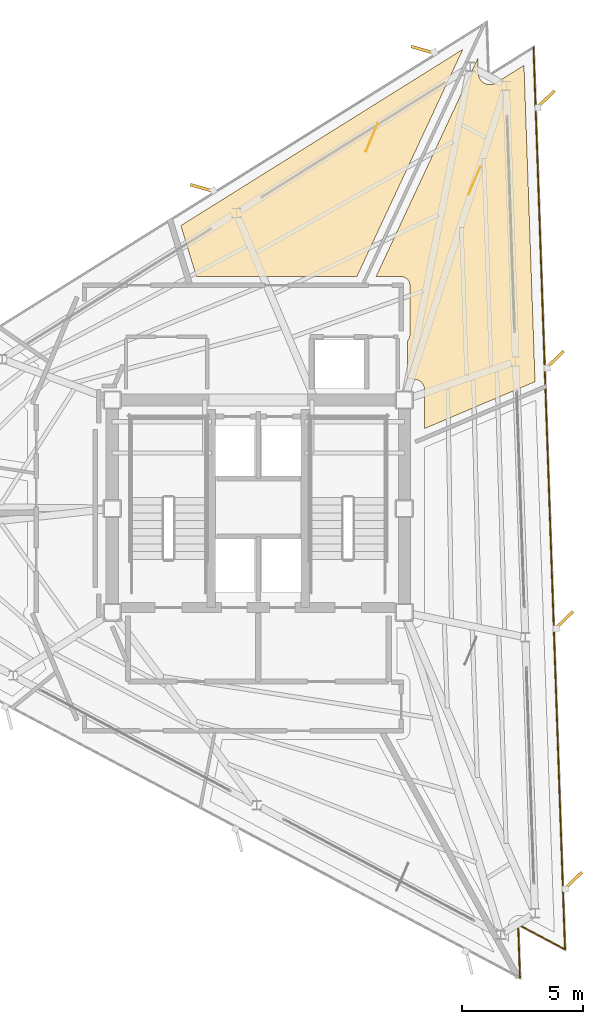
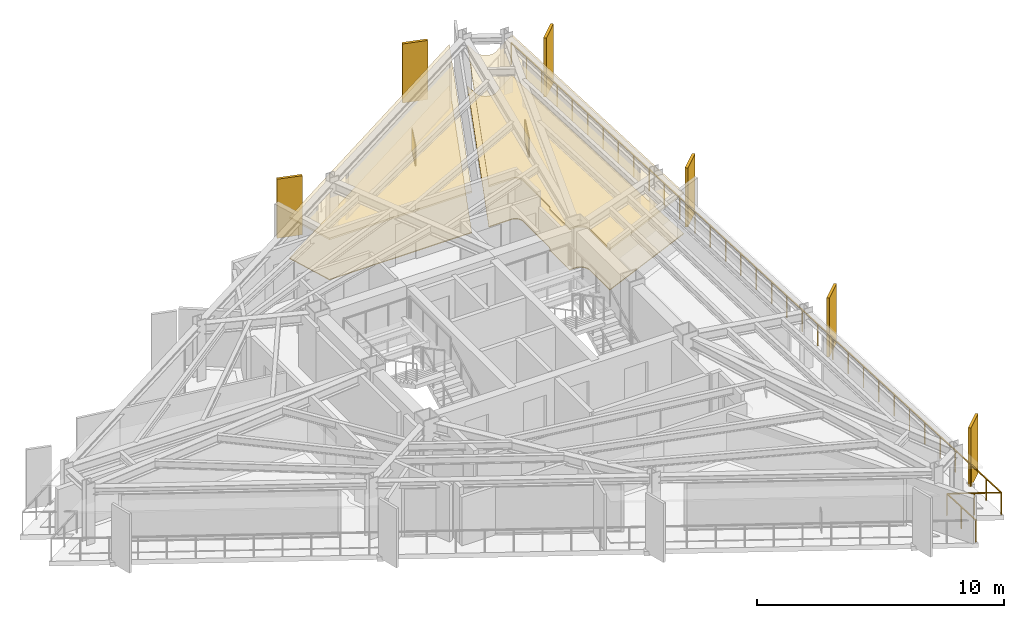
# One storey, part 13 of 13: 6 coverings, 6 shading devices, 1 railing.
"""IFC4 building model written with IfcOpenShell, lengths in metres."""

from ifc_helpers import new_model, si_unit, direction, frame, origin, origin_2d, place, context, subcontext, project, spatial, polyline, rectangle, outline, extrude, material, layer, layer_set, type_object, element, save


model = new_model("IFC4")

# Units and contexts
model_context = context("Model", 3, precision=1e-05, world=origin(), true_north=direction((0.0, 1.0)))
body_context = subcontext(model_context, "Body", "Model", "MODEL_VIEW")
ifc_project = project(units=[si_unit("LENGTHUNIT", "METRE"), si_unit("AREAUNIT", "SQUARE_METRE"), si_unit("VOLUMEUNIT", "CUBIC_METRE"), si_unit("PLANEANGLEUNIT", "RADIAN"), si_unit("MASSUNIT", "GRAM", prefix="KILO")], contexts=[model_context])

# Site, building, storey
site_placement = place(None, origin())
site = spatial("IfcSite", under=ifc_project, at=site_placement, CompositionType="ELEMENT")
building_placement = place(site_placement, origin())
building = spatial("IfcBuilding", under=site, at=building_placement, Name="Rocaltana Carrier Exchange", CompositionType="ELEMENT")
storey_placement = place(building_placement, frame((0.0, 0.0, 196.639892578125)))
storey = spatial("IfcBuildingStorey", under=building, at=storey_placement, Name="L62", CompositionType="ELEMENT", Elevation=196.639892578125)

# Coverings
ifc_material_1 = material(Name="Honed Bogota Sandstone Tile", Category="masonry")
ifc_layer_1 = layer(ifc_material_1, 0.0400390625)
ifc_layer_set_1 = layer_set([ifc_layer_1], Name="Honed Bogota Sandstone Tile")
covering_type_1 = type_object("IfcCoveringType", Name="Honed Stone Lobby Flooring 40", PredefinedType="FLOORING", material=ifc_layer_set_1)
covering_1_placement = place(storey_placement, origin())
element("IfcCovering", 1, at=covering_1_placement, inside=storey, type_object=covering_type_1, Name="L62 Executive Peering Boardroom Finish Floor", PredefinedType="FLOORING", context=body_context, shape_type="SweptSolid", body=[
    extrude(outline(polyline([(6.18994140625, 6.962158203125), (6.206787109375, 6.982421875), (6.21142578125, 6.98876953125), (6.226806640625, 7.01171875), (6.230712890625, 7.018310546875), (6.24365234375, 7.04248046875), (6.2470703125, 7.0498046875), (6.257568359375, 7.0751953125), (6.26025390625, 7.08251953125), (6.268310546875, 7.108642578125), (6.27001953125, 7.116455078125), (6.275390625, 7.143310546875), (6.276611328125, 7.151123046875), (6.279296875, 7.178466796875), (6.27978515625, 7.186279296875), (6.280029296875, 7.199951171875), (6.280029296875, 9.25), (6.27978515625, 9.263671875), (6.279296875, 9.271484375), (6.276611328125, 9.298828125), (6.275390625, 9.306640625), (6.27001953125, 9.33349609375), (6.268310546875, 9.34130859375), (6.26025390625, 9.36767578125), (6.257568359375, 9.375), (6.2470703125, 9.400390625), (6.24365234375, 9.407470703125), (6.230712890625, 9.431640625), (6.226806640625, 9.4384765625), (6.21142578125, 9.461181640625), (6.206787109375, 9.467529296875), (6.189208984375, 9.48876953125), (6.18408203125, 9.49462890625), (6.16455078125, 9.513916015625), (6.15869140625, 9.519287109375), (6.137451171875, 9.53662109375), (6.131103515625, 9.54150390625), (6.1083984375, 9.556640625), (6.101806640625, 9.560791015625), (6.077392578125, 9.57373046875), (6.0703125, 9.576904296875), (6.044921875, 9.58740234375), (6.03759765625, 9.590087890625), (6.01123046875, 9.59814453125), (6.003662109375, 9.60009765625), (5.976806640625, 9.60546875), (5.968994140625, 9.606689453125), (5.941650390625, 9.609375), (5.93359375, 9.609619140625), (5.919921875, 9.610107421875), (4.87841796875, 9.610107421875), (9.09375, 18.64990234375), (9.115478515625, 18.029052734375), (9.1162109375, 18.01513671875), (9.117919921875, 17.995361328125), (9.121826171875, 17.9677734375), (9.12548828125, 17.947998046875), (9.1318359375, 17.9208984375), (9.137451171875, 17.90185546875), (9.146484375, 17.87548828125), (9.154052734375, 17.85693359375), (9.166015625, 17.83154296875), (9.175048828125, 17.81396484375), (9.189208984375, 17.789794921875), (9.2001953125, 17.773193359375), (9.216796875, 17.750732421875), (9.2294921875, 17.7353515625), (9.248046875, 17.714599609375), (9.26220703125, 17.700439453125), (9.28271484375, 17.681640625), (9.298095703125, 17.6689453125), (9.320556640625, 17.65234375), (9.337158203125, 17.641357421875), (9.361083984375, 17.626953125), (9.37890625, 17.61767578125), (9.404052734375, 17.605712890625), (9.422607421875, 17.59814453125), (9.44873046875, 17.5888671875), (9.468017578125, 17.583251953125), (9.4951171875, 17.57666015625), (9.5146484375, 17.572998046875), (9.542236328125, 17.569091796875), (9.56201171875, 17.567138671875), (9.590087890625, 17.566162109375), (9.610107421875, 17.56640625), (9.6376953125, 17.56787109375), (9.65771484375, 17.570068359375), (9.685302734375, 17.57470703125), (9.70458984375, 17.57861328125), (9.731689453125, 17.5859375), (9.750732421875, 17.591796875), (9.77685546875, 17.601806640625), (9.795166015625, 17.609619140625), (9.820068359375, 17.6220703125), (9.83740234375, 17.631591796875), (9.849609375, 17.638916015625), (11.01025390625, 18.364013671875), (11.4677734375, 5.2587890625), (6.889892578125, 3.315673828125), (6.889892578125, 4.919921875), (6.8896484375, 4.93359375), (6.888916015625, 4.949462890625), (6.88623046875, 4.976806640625), (6.8837890625, 4.9921875), (6.87841796875, 5.019287109375), (6.874755859375, 5.034423828125), (6.86669921875, 5.060791015625), (6.861572265625, 5.07568359375), (6.850830078125, 5.100830078125), (6.84423828125, 5.114990234375), (6.831298828125, 5.139404296875), (6.8232421875, 5.15283203125), (6.807861328125, 5.17578125), (6.798583984375, 5.188232421875), (6.781005859375, 5.20947265625), (6.7705078125, 5.22119140625), (6.751220703125, 5.240478515625), (6.739501953125, 5.251220703125), (6.71826171875, 5.2685546875), (6.705810546875, 5.27783203125), (6.682861328125, 5.293212890625), (6.66943359375, 5.30126953125), (6.64501953125, 5.314208984375), (6.630859375, 5.32080078125), (6.605712890625, 5.33154296875), (6.5908203125, 5.336669921875), (6.564453125, 5.3447265625), (6.54931640625, 5.348388671875), (6.522216796875, 5.35400390625), (6.5068359375, 5.356201171875), (6.4794921875, 5.35888671875), (6.463623046875, 5.359619140625), (6.449951171875, 5.360107421875), (6.18994140625, 5.360107421875), (6.18994140625, 6.962158203125)])), origin(), (0.0, 0.0, 1.0), 0.0400390625),
])
covering_2_placement = place(storey_placement, origin())
element("IfcCovering", 2, at=covering_2_placement, inside=storey, type_object=covering_type_1, Name="L62 Peering Conference Room Finish Floor", PredefinedType="FLOORING", context=body_context, shape_type="SweptSolid", body=[
    extrude(outline(polyline([(8.47509765625, 19.026611328125), (4.083984375, 9.610107421875), (-2.5615234375, 9.610107421875), (-3.20849609375, 11.725830078125), (8.47509765625, 19.026611328125)])), origin(), (0.0, 0.0, 1.0), 0.0400390625),
])
ifc_material_2 = material(Name="Anodised Aluminium 6063-T6", Category="aluminium")
ifc_layer_2 = layer(ifc_material_2, 0.0849609375)
ifc_layer_set_2 = layer_set([ifc_layer_2], Name="Anodised Aluminium 6063-T6")
covering_type_2 = type_object("IfcCoveringType", Name="Linear Baffle Acoustic Ceiling 85", PredefinedType="CEILING", material=ifc_layer_set_2)
covering_3_placement = place(storey_placement, frame((0.0, 0.0, 1.983154296875)))
element("IfcCovering", 3, at=covering_3_placement, inside=storey, type_object=covering_type_2, Name="L62 Executive Peering Boardroom Acoustic Ceiling", PredefinedType="CEILING", context=body_context, shape_type="SweptSolid", body=[
    extrude(outline(polyline([(6.18994140625, 6.962158203125), (6.206787109375, 6.982421875), (6.21142578125, 6.98876953125), (6.226806640625, 7.01171875), (6.230712890625, 7.018310546875), (6.24365234375, 7.04248046875), (6.2470703125, 7.0498046875), (6.257568359375, 7.0751953125), (6.26025390625, 7.08251953125), (6.268310546875, 7.108642578125), (6.27001953125, 7.116455078125), (6.275390625, 7.143310546875), (6.276611328125, 7.151123046875), (6.279296875, 7.178466796875), (6.27978515625, 7.186279296875), (6.280029296875, 7.199951171875), (6.280029296875, 9.25), (6.27978515625, 9.263671875), (6.279296875, 9.271484375), (6.276611328125, 9.298828125), (6.275390625, 9.306640625), (6.27001953125, 9.33349609375), (6.268310546875, 9.34130859375), (6.26025390625, 9.36767578125), (6.257568359375, 9.375), (6.2470703125, 9.400390625), (6.24365234375, 9.407470703125), (6.230712890625, 9.431640625), (6.226806640625, 9.4384765625), (6.21142578125, 9.461181640625), (6.206787109375, 9.467529296875), (6.189208984375, 9.48876953125), (6.18408203125, 9.49462890625), (6.16455078125, 9.513916015625), (6.15869140625, 9.519287109375), (6.137451171875, 9.53662109375), (6.131103515625, 9.54150390625), (6.1083984375, 9.556640625), (6.101806640625, 9.560791015625), (6.077392578125, 9.57373046875), (6.0703125, 9.576904296875), (6.044921875, 9.58740234375), (6.03759765625, 9.590087890625), (6.01123046875, 9.59814453125), (6.003662109375, 9.60009765625), (5.976806640625, 9.60546875), (5.968994140625, 9.606689453125), (5.941650390625, 9.609375), (5.93359375, 9.609619140625), (5.919921875, 9.610107421875), (4.87841796875, 9.610107421875), (9.09375, 18.64990234375), (9.115478515625, 18.029052734375), (9.1162109375, 18.01513671875), (9.117919921875, 17.995361328125), (9.121826171875, 17.9677734375), (9.12548828125, 17.947998046875), (9.1318359375, 17.9208984375), (9.137451171875, 17.90185546875), (9.146484375, 17.87548828125), (9.154052734375, 17.85693359375), (9.166015625, 17.83154296875), (9.175048828125, 17.81396484375), (9.189208984375, 17.789794921875), (9.2001953125, 17.773193359375), (9.216796875, 17.750732421875), (9.2294921875, 17.7353515625), (9.248046875, 17.714599609375), (9.26220703125, 17.700439453125), (9.28271484375, 17.681640625), (9.298095703125, 17.6689453125), (9.320556640625, 17.65234375), (9.337158203125, 17.641357421875), (9.361083984375, 17.626953125), (9.37890625, 17.61767578125), (9.404052734375, 17.605712890625), (9.422607421875, 17.59814453125), (9.44873046875, 17.5888671875), (9.468017578125, 17.583251953125), (9.4951171875, 17.57666015625), (9.5146484375, 17.572998046875), (9.542236328125, 17.569091796875), (9.56201171875, 17.567138671875), (9.590087890625, 17.566162109375), (9.610107421875, 17.56640625), (9.6376953125, 17.56787109375), (9.65771484375, 17.570068359375), (9.685302734375, 17.57470703125), (9.70458984375, 17.57861328125), (9.731689453125, 17.5859375), (9.750732421875, 17.591796875), (9.77685546875, 17.601806640625), (9.795166015625, 17.609619140625), (9.820068359375, 17.6220703125), (9.83740234375, 17.631591796875), (9.849609375, 17.638916015625), (11.01025390625, 18.364013671875), (11.4677734375, 5.2587890625), (6.889892578125, 3.315673828125), (6.889892578125, 4.919921875), (6.8896484375, 4.93359375), (6.888916015625, 4.949462890625), (6.88623046875, 4.976806640625), (6.8837890625, 4.9921875), (6.87841796875, 5.019287109375), (6.874755859375, 5.034423828125), (6.86669921875, 5.060791015625), (6.861572265625, 5.07568359375), (6.850830078125, 5.100830078125), (6.84423828125, 5.114990234375), (6.831298828125, 5.139404296875), (6.8232421875, 5.15283203125), (6.807861328125, 5.17578125), (6.798583984375, 5.188232421875), (6.781005859375, 5.20947265625), (6.7705078125, 5.22119140625), (6.751220703125, 5.240478515625), (6.739501953125, 5.251220703125), (6.71826171875, 5.2685546875), (6.705810546875, 5.27783203125), (6.682861328125, 5.293212890625), (6.66943359375, 5.30126953125), (6.64501953125, 5.314208984375), (6.630859375, 5.32080078125), (6.605712890625, 5.33154296875), (6.5908203125, 5.336669921875), (6.564453125, 5.3447265625), (6.54931640625, 5.348388671875), (6.522216796875, 5.35400390625), (6.5068359375, 5.356201171875), (6.4794921875, 5.35888671875), (6.463623046875, 5.359619140625), (6.449951171875, 5.360107421875), (6.18994140625, 5.360107421875), (6.18994140625, 6.962158203125)])), origin(), (0.0, 0.0, 1.0), 0.0849609375),
])
covering_4_placement = place(storey_placement, frame((0.0, 0.0, 1.983154296875)))
element("IfcCovering", 4, at=covering_4_placement, inside=storey, type_object=covering_type_2, Name="L62 Peering Conference Room Acoustic Ceiling", PredefinedType="CEILING", context=body_context, shape_type="SweptSolid", body=[
    extrude(outline(polyline([(8.47509765625, 19.026611328125), (4.083984375, 9.610107421875), (-2.5615234375, 9.610107421875), (-3.20849609375, 11.725830078125), (8.47509765625, 19.026611328125)])), origin(), (0.0, 0.0, 1.0), 0.0849609375),
])
ifc_material_3 = material(Name="Honed Piedra Muneca Sandstone", Category="masonry")
ifc_layer_3 = layer(ifc_material_3, 0.034912109375)
ifc_layer_set_3 = layer_set([ifc_layer_3], Name="Honed Piedra Muneca Sandstone")
covering_type_3 = type_object("IfcCoveringType", Name="Stone Facade Cladding 35", PredefinedType="CLADDING", material=ifc_layer_set_3)
for number, where, z_axis, x_axis, name in (
    (5, (8.955078125, 13.587890625, 0.0), (0.0, 0.0, 1.0), (0.390731128489, 0.920504853452, 0.0), "L62 Stone Facade Cladding Panel 5"),
    (6, (4.702880859375, 15.376220703125, 0.0), (0.0, 0.0, 1.0), (0.390731128489, 0.920504853452, 0.0), "L62 Stone Facade Cladding Panel 6"),
):
    element("IfcCovering", number, at=place(storey_placement, frame(where, z_axis=z_axis, x_axis=x_axis)), inside=storey, type_object=covering_type_3, Name=name, PredefinedType="CLADDING", context=body_context, shape_type="SweptSolid", body=[
        extrude(rectangle(XDim=1.25, YDim=0.034912109375, at=origin_2d()), origin(), (0.0, 0.0, 1.0), 1.050048828125),
    ])

# Shading devices
ifc_material_4 = material(Name="Honed Bogota Sandstone & Concrete C45/55", Category="masonry")
ifc_layer_4 = layer(ifc_material_4, 0.1201171875)
ifc_layer_set_4 = layer_set([ifc_layer_4], Name="Honed Bogota Sandstone & Concrete C45/55")
shading_device_type = type_object("IfcShadingDeviceType", Name="Upper Sandstone Shading Fin 1050x120", PredefinedType="USERDEFINED", material=ifc_layer_set_4)
for number, where, z_axis, x_axis, name in (
    (7, (13.03125, -15.43017578125, -0.119873046875), (0.0, 0.0, 1.0), (0.719339800339, 0.694658370459, 0.0), "L62 Sandstone Vertical Fin F1-01"),
    (8, (12.654296875, -4.63671875, -0.119873046875), (0.0, 0.0, 1.0), (0.719339800339, 0.694658370459, 0.0), "L62 Sandstone Vertical Fin F1-02"),
    (9, (12.27734375, 6.15673828125, -0.119873046875), (0.0, 0.0, 1.0), (0.719339800339, 0.694658370459, 0.0), "L62 Sandstone Vertical Fin F1-03"),
    (10, (11.900390625, 16.9501953125, -0.119873046875), (0.0, 0.0, 1.0), (0.719339800339, 0.694658370459, 0.0), "L62 Sandstone Vertical Fin F1-04"),
    (11, (6.84716796875, 19.00048828125, -0.119873046875), (0.0, 0.0, 1.0), (-0.961261695938, 0.275637355817, 0.0), "L62 Sandstone Vertical Fin F2-01"),
    (12, (-2.311767578125, 13.27734375, -0.119873046875), (0.0, 0.0, 1.0), (-0.961261695938, 0.275637355817, 0.0), "L62 Sandstone Vertical Fin F2-02"),
):
    element("IfcShadingDevice", number, at=place(storey_placement, frame(where, z_axis=z_axis, x_axis=x_axis)), inside=storey, type_object=shading_device_type, Name=name, ObjectType="FIN", PredefinedType="USERDEFINED", context=body_context, shape_type="SweptSolid", body=[
        extrude(rectangle(XDim=1.050048828125, YDim=0.1201171875, at=origin_2d()), origin(), (0.0, 0.0, 1.0), 2.91796875),
    ])

# Railing
ifc_material_5 = material(Name="Powder-Coated Aluminium 6063-T6", Category="aluminium")
ifc_layer_5 = layer(ifc_material_5, 0.06005859375)
ifc_layer_set_5 = layer_set([ifc_layer_5], Name="Powder-Coated Aluminium 6063-T6")
railing_type = type_object("IfcRailingType", Name="Wind-Floor & Terrace Perimeter Guardrail 1100", PredefinedType="GUARDRAIL", material=ifc_layer_set_5)
railing_placement = place(storey_placement, frame((11.404541015625, 19.105712890625, 0.0)))
element("IfcRailing", 13, at=railing_placement, inside=storey, type_object=railing_type, Name="L62 Perimeter Balcony Guardrail 3", PredefinedType="GUARDRAIL", context=body_context, shape_type="SweptSolid", body=[
    extrude(rectangle(XDim=0.048095703125, YDim=0.048095703125, at=origin_2d()), frame((0.0, 0.0, 1.076171875), z_axis=(0.034898534283, -0.999390860627, 0.0), x_axis=(0.999390860627, 0.034898534283, 0.0)), (0.0, 0.0, 1.0), 37.39208984375),
    extrude(rectangle(XDim=0.048095703125, YDim=0.048095703125, at=origin_2d()), frame((1.304931640625, -37.369384765625, 1.076171875), z_axis=(-0.882914480843, 0.469533832133, 0.0), x_axis=(-0.469533832133, -0.882914480843, 0.0)), (0.0, 0.0, 1.0), 2.199951171875),
    extrude(rectangle(XDim=0.048095703125, YDim=0.048095703125, at=origin_2d()), frame((-0.637451171875, -36.33642578125, 1.076171875), z_axis=(0.034844472857, -0.999392746978, 0.0), x_axis=(0.999392746978, 0.034844472857, 0.0)), (0.0, 0.0, 1.0), 2.199951171875),
    extrude(rectangle(XDim=0.0419921875, YDim=0.0419921875, at=origin_2d()), origin(), (0.0, 0.0, 1.0), 1.052001953125),
    extrude(rectangle(XDim=0.0419921875, YDim=0.0419921875, at=origin_2d()), frame((0.040771484375, -1.167724609375, 0.0)), (0.0, 0.0, 1.0), 1.052001953125),
    extrude(rectangle(XDim=0.0419921875, YDim=0.0419921875, at=origin_2d()), frame((0.08154296875, -2.335693359375, 0.0)), (0.0, 0.0, 1.0), 1.052001953125),
    extrude(rectangle(XDim=0.0419921875, YDim=0.0419921875, at=origin_2d()), frame((0.122314453125, -3.50341796875, 0.0)), (0.0, 0.0, 1.0), 1.052001953125),
    extrude(rectangle(XDim=0.0419921875, YDim=0.0419921875, at=origin_2d()), frame((0.1630859375, -4.671142578125, 0.0)), (0.0, 0.0, 1.0), 1.052001953125),
    extrude(rectangle(XDim=0.0419921875, YDim=0.0419921875, at=origin_2d()), frame((0.203857421875, -5.8388671875, 0.0)), (0.0, 0.0, 1.0), 1.052001953125),
    extrude(rectangle(XDim=0.0419921875, YDim=0.0419921875, at=origin_2d()), frame((0.24462890625, -7.0068359375, 0.0)), (0.0, 0.0, 1.0), 1.052001953125),
    extrude(rectangle(XDim=0.0419921875, YDim=0.0419921875, at=origin_2d()), frame((0.285400390625, -8.174560546875, 0.0)), (0.0, 0.0, 1.0), 1.052001953125),
    extrude(rectangle(XDim=0.0419921875, YDim=0.0419921875, at=origin_2d()), frame((0.326171875, -9.34228515625, 0.0)), (0.0, 0.0, 1.0), 1.052001953125),
    extrude(rectangle(XDim=0.0419921875, YDim=0.0419921875, at=origin_2d()), frame((0.366943359375, -10.51025390625, 0.0)), (0.0, 0.0, 1.0), 1.052001953125),
    extrude(rectangle(XDim=0.0419921875, YDim=0.0419921875, at=origin_2d()), frame((0.40771484375, -11.677978515625, 0.0)), (0.0, 0.0, 1.0), 1.052001953125),
    extrude(rectangle(XDim=0.0419921875, YDim=0.0419921875, at=origin_2d()), frame((0.448486328125, -12.845703125, 0.0)), (0.0, 0.0, 1.0), 1.052001953125),
    extrude(rectangle(XDim=0.0419921875, YDim=0.0419921875, at=origin_2d()), frame((0.4892578125, -14.013427734375, 0.0)), (0.0, 0.0, 1.0), 1.052001953125),
    extrude(rectangle(XDim=0.0419921875, YDim=0.0419921875, at=origin_2d()), frame((0.530029296875, -15.181396484375, 0.0)), (0.0, 0.0, 1.0), 1.052001953125),
    extrude(rectangle(XDim=0.0419921875, YDim=0.0419921875, at=origin_2d()), frame((0.57080078125, -16.34912109375, 0.0)), (0.0, 0.0, 1.0), 1.052001953125),
    extrude(rectangle(XDim=0.0419921875, YDim=0.0419921875, at=origin_2d()), frame((0.611572265625, -17.516845703125, 0.0)), (0.0, 0.0, 1.0), 1.052001953125),
    extrude(rectangle(XDim=0.0419921875, YDim=0.0419921875, at=origin_2d()), frame((0.65234375, -18.6845703125, 0.0)), (0.0, 0.0, 1.0), 1.052001953125),
    extrude(rectangle(XDim=0.0419921875, YDim=0.0419921875, at=origin_2d()), frame((0.693359375, -19.8525390625, 0.0)), (0.0, 0.0, 1.0), 1.052001953125),
    extrude(rectangle(XDim=0.0419921875, YDim=0.0419921875, at=origin_2d()), frame((0.734130859375, -21.020263671875, 0.0)), (0.0, 0.0, 1.0), 1.052001953125),
    extrude(rectangle(XDim=0.0419921875, YDim=0.0419921875, at=origin_2d()), frame((0.77490234375, -22.18798828125, 0.0)), (0.0, 0.0, 1.0), 1.052001953125),
    extrude(rectangle(XDim=0.0419921875, YDim=0.0419921875, at=origin_2d()), frame((0.815673828125, -23.35595703125, 0.0)), (0.0, 0.0, 1.0), 1.052001953125),
    extrude(rectangle(XDim=0.0419921875, YDim=0.0419921875, at=origin_2d()), frame((0.8564453125, -24.523681640625, 0.0)), (0.0, 0.0, 1.0), 1.052001953125),
    extrude(rectangle(XDim=0.0419921875, YDim=0.0419921875, at=origin_2d()), frame((0.897216796875, -25.69140625, 0.0)), (0.0, 0.0, 1.0), 1.052001953125),
    extrude(rectangle(XDim=0.0419921875, YDim=0.0419921875, at=origin_2d()), frame((0.93798828125, -26.859130859375, 0.0)), (0.0, 0.0, 1.0), 1.052001953125),
    extrude(rectangle(XDim=0.0419921875, YDim=0.0419921875, at=origin_2d()), frame((0.978759765625, -28.027099609375, 0.0)), (0.0, 0.0, 1.0), 1.052001953125),
    extrude(rectangle(XDim=0.0419921875, YDim=0.0419921875, at=origin_2d()), frame((1.01953125, -29.19482421875, 0.0)), (0.0, 0.0, 1.0), 1.052001953125),
    extrude(rectangle(XDim=0.0419921875, YDim=0.0419921875, at=origin_2d()), frame((1.060302734375, -30.362548828125, 0.0)), (0.0, 0.0, 1.0), 1.052001953125),
    extrude(rectangle(XDim=0.0419921875, YDim=0.0419921875, at=origin_2d()), frame((1.10107421875, -31.530517578125, 0.0)), (0.0, 0.0, 1.0), 1.052001953125),
    extrude(rectangle(XDim=0.0419921875, YDim=0.0419921875, at=origin_2d()), frame((1.141845703125, -32.6982421875, 0.0)), (0.0, 0.0, 1.0), 1.052001953125),
    extrude(rectangle(XDim=0.0419921875, YDim=0.0419921875, at=origin_2d()), frame((1.1826171875, -33.865966796875, 0.0)), (0.0, 0.0, 1.0), 1.052001953125),
    extrude(rectangle(XDim=0.0419921875, YDim=0.0419921875, at=origin_2d()), frame((1.223388671875, -35.03369140625, 0.0)), (0.0, 0.0, 1.0), 1.052001953125),
    extrude(rectangle(XDim=0.0419921875, YDim=0.0419921875, at=origin_2d()), frame((1.26416015625, -36.20166015625, 0.0)), (0.0, 0.0, 1.0), 1.052001953125),
    extrude(rectangle(XDim=0.0419921875, YDim=0.0419921875, at=origin_2d()), frame((1.304931640625, -37.369384765625, 0.0)), (0.0, 0.0, 1.0), 1.052001953125),
    extrude(rectangle(XDim=0.0419921875, YDim=0.0419921875, at=origin_2d()), frame((0.333740234375, -36.85302734375, 0.0)), (0.0, 0.0, 1.0), 1.052001953125),
    extrude(rectangle(XDim=0.0419921875, YDim=0.0419921875, at=origin_2d()), frame((-0.637451171875, -36.33642578125, 0.0)), (0.0, 0.0, 1.0), 1.052001953125),
    extrude(rectangle(XDim=0.0419921875, YDim=0.0419921875, at=origin_2d()), frame((-0.59912109375, -37.435791015625, 0.0)), (0.0, 0.0, 1.0), 1.052001953125),
    extrude(rectangle(XDim=0.0419921875, YDim=0.0419921875, at=origin_2d()), frame((-0.560791015625, -38.53515625, 0.0)), (0.0, 0.0, 1.0), 1.052001953125),
])

save(model, "model.ifc")
